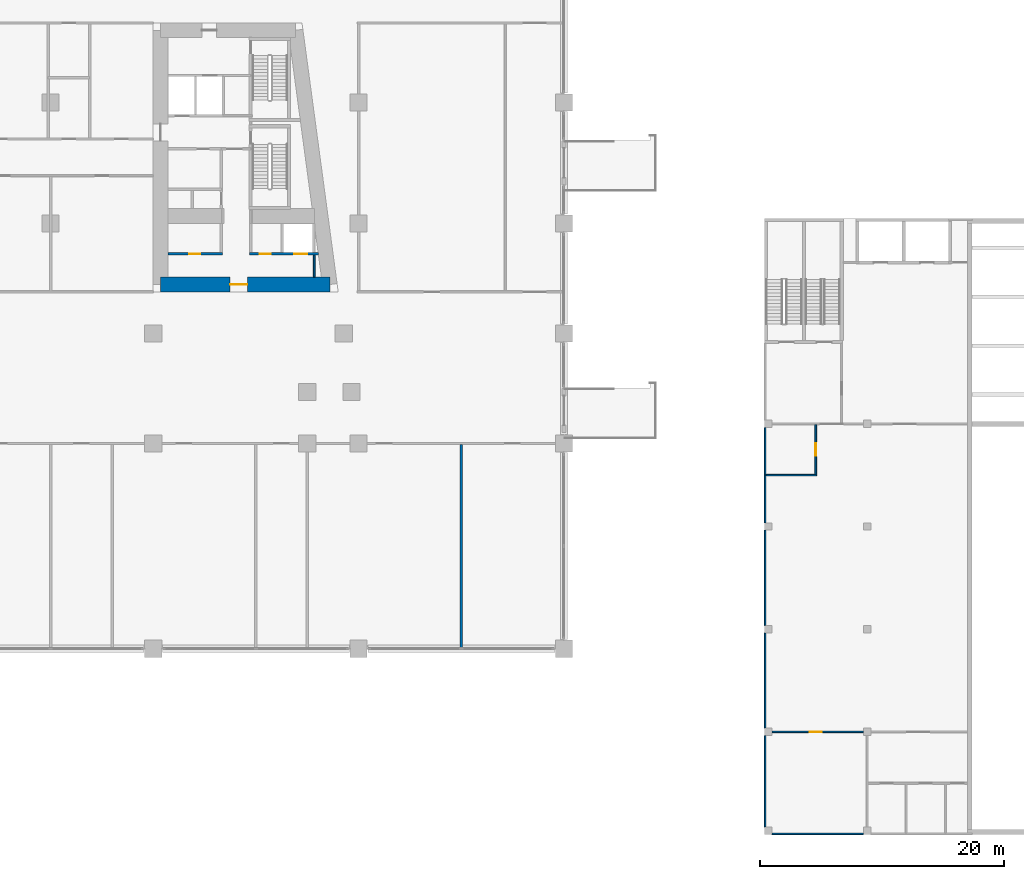
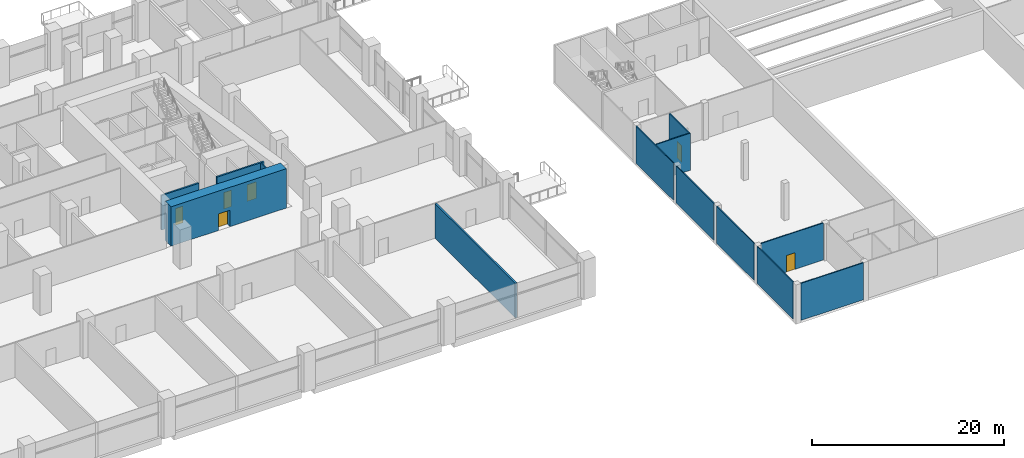
# One storey, part 19 of 33: 13 walls, 6 doors, 6 openings.
"""IFC4 building model written with IfcOpenShell, lengths in metres."""

import ifcopenshell
import ifcopenshell.guid

model = None  # the IFC model being written
_history = None  # IfcOwnerHistory: only IFC2X3 demands one
_inside = {}  # id of a spatial element -> (the spatial element, [elements in it])
_under = {}  # id of a project, library or spatial element -> (it, [spatial elements below it])
_declared = {}  # id of a project -> (the project, [libraries it declares])
_typed = {}  # id of a type object -> (the type object, [elements of that type])
_made_of = {}  # id of a material, layer set ... -> (it, [elements and type objects made of it])


def new_model(schema):
    """Start an empty IFC model of exactly this schema.

    Asked for "IFC4X3", IfcOpenShell would pick the latest addendum, in which some entities
    have other attributes; the version numbers below select the first issue.
    IFC2X3 requires an IfcOwnerHistory on every rooted entity: one is made here for all.
    """
    global model, _history
    if schema == "IFC4X3":
        model = ifcopenshell.file(schema_version=(4, 3, 0, 0))
    else:
        model = ifcopenshell.file(schema=schema)
    _inside.clear()
    _under.clear()
    _declared.clear()
    _typed.clear()
    _made_of.clear()
    _history = None
    if model.schema == "IFC2X3":
        org = make("IfcOrganization", Name="unknown")
        user = make(
            "IfcPersonAndOrganization",
            ThePerson=make("IfcPerson", FamilyName="unknown"),
            TheOrganization=org,
        )
        app = make(
            "IfcApplication",
            ApplicationDeveloper=org,
            Version="unknown",
            ApplicationFullName="unknown",
            ApplicationIdentifier="unknown",
        )
        _history = make(
            "IfcOwnerHistory",
            OwningUser=user,
            OwningApplication=app,
            ChangeAction="ADDED",
            CreationDate=0,
        )
    return model


def make(cls, **values):
    """One entity of the class cls with the attributes given. An attribute that is None is left unset."""
    return model.create_entity(
        cls, **{name: value for name, value in values.items() if value is not None}
    )


def rooted(cls, **values):
    """An entity with a GlobalId (a new one), such as an element, a storey or a relation."""
    return make(cls, GlobalId=ifcopenshell.guid.new(), OwnerHistory=_history, **values)


def si_unit(unit_type, name, prefix=None):
    """IfcSIUnit, for example si_unit("LENGTHUNIT", "METRE", prefix="MILLI")."""
    return make("IfcSIUnit", UnitType=unit_type, Prefix=prefix, Name=name)


def assignment(units):
    """IfcUnitAssignment: the units of a project."""
    return None if units is None else make("IfcUnitAssignment", Units=units)


def point(xyz):
    """IfcCartesianPoint."""
    return None if xyz is None else make("IfcCartesianPoint", Coordinates=xyz)


def direction(xyz):
    """IfcDirection."""
    return None if xyz is None else make("IfcDirection", DirectionRatios=xyz)


def frame(location, z_axis=None, x_axis=None):
    """IfcAxis2Placement3D, a coordinate frame: its origin and axes. An axis left out is left unset."""
    return make(
        "IfcAxis2Placement3D",
        Location=point(location),
        Axis=direction(z_axis),
        RefDirection=direction(x_axis),
    )


def frame_2d(location, x_axis=None):
    """IfcAxis2Placement2D, a coordinate frame in the plane: its origin and x axis."""
    return make(
        "IfcAxis2Placement2D", Location=point(location), RefDirection=direction(x_axis)
    )


def origin():
    """The frame at (0, 0, 0) with its axes left unset."""
    return frame((0.0, 0.0, 0.0))


def place(relative_to, where):
    """IfcLocalPlacement: puts the frame where relative to a parent placement (None: the world)."""
    return make(
        "IfcLocalPlacement", PlacementRelTo=relative_to, RelativePlacement=where
    )


def context(
    kind, dimensions, precision=None, world=None, true_north=None, identifier=None
):
    """IfcGeometricRepresentationContext, for example the 3D "Model" context."""
    return make(
        "IfcGeometricRepresentationContext",
        ContextIdentifier=identifier,
        ContextType=kind,
        CoordinateSpaceDimension=dimensions,
        Precision=precision,
        WorldCoordinateSystem=world,
        TrueNorth=true_north,
    )


def subcontext(parent, identifier, kind, view, scale=None):
    """IfcGeometricRepresentationSubContext, for example "Body" below "Model"."""
    return make(
        "IfcGeometricRepresentationSubContext",
        ContextIdentifier=identifier,
        ContextType=kind,
        ParentContext=parent,
        TargetScale=scale,
        TargetView=view,
    )


def project(units=None, contexts=None):
    """IfcProject with its units and contexts."""
    return rooted(
        "IfcProject",
        Name="project",
        RepresentationContexts=contexts,
        UnitsInContext=assignment(units),
    )


def spatial(cls, under=None, at=None, **own):
    """A site, building, storey or space (cls), placed at a placement, below another one or the project."""
    s = rooted(cls, ObjectPlacement=at, **own)
    if under is not None:
        _under.setdefault(under.id(), (under, []))[1].append(s)
    return s


def profile(cls, at=None, kind="AREA", **sizes):
    """A parametric profile (cls). Its sizes go by their IFC names, for example OverallWidth=200.0."""
    return make(cls, ProfileType=kind, Position=at, **sizes)


def rectangle(**sizes):
    """IfcRectangleProfileDef."""
    return profile("IfcRectangleProfileDef", **sizes)


def extrude(swept, where, along, depth):
    """IfcExtrudedAreaSolid: the profile swept, set in the frame where, extruded along a direction by depth."""
    return make(
        "IfcExtrudedAreaSolid",
        SweptArea=swept,
        Position=where,
        ExtrudedDirection=direction(along),
        Depth=depth,
    )


def shape(context_of_items, identifier, shape_type, items):
    """IfcShapeRepresentation: the items that make up one representation, for example the "Body"."""
    return make(
        "IfcShapeRepresentation",
        ContextOfItems=context_of_items,
        RepresentationIdentifier=identifier,
        RepresentationType=shape_type,
        Items=items,
    )


def material(Name=None, Category=None):
    """IfcMaterial."""
    return make("IfcMaterial", Name=Name, Category=Category)


def layer(
    of_material, thickness, ventilated=None, Name=None, Category=None, Priority=None
):
    """IfcMaterialLayer: one layer of a wall or slab, of a material (None: an air gap)."""
    return make(
        "IfcMaterialLayer",
        Material=of_material,
        LayerThickness=thickness,
        IsVentilated=ventilated,
        Name=Name,
        Category=Category,
        Priority=Priority,
    )


def layer_set(layers, Name=None):
    """IfcMaterialLayerSet."""
    return make("IfcMaterialLayerSet", MaterialLayers=layers, LayerSetName=Name)


def made_of(thing, what):
    """Note that an element or type object is made of a material, layer set ...; save() writes the relation."""
    if what is not None:
        _made_of.setdefault(what.id(), (what, []))[1].append(thing)
    return thing


def type_object(cls, material=None, **own):
    """A type object (cls), such as IfcWallType, which elements share."""
    return made_of(rooted(cls, **own), material)


def element(
    cls,
    number,
    at=None,
    inside=None,
    cuts=None,
    type_object=None,
    material=None,
    context=None,
    identifier="Body",
    shape_type=None,
    held_by="IfcProductDefinitionShape",
    body=None,
    shapes=None,
    **own,
):
    """One element of the class cls, such as IfcWall. Its Tag is "e" and its number.

    at: its placement. inside: the storey or other place that contains it. cuts: it is an
    opening in that element (IfcRelVoidsElement). A single representation is given by context,
    identifier, shape_type and body (its items); several are given by shapes. held_by: the class
    of the entity that holds the representations. save() writes the other relations.
    """
    e = rooted(cls, Tag="e%d" % number, ObjectPlacement=at, **own)
    if body is not None:
        shapes = [shape(context, identifier, shape_type, body)]
    if shapes is not None:
        e.Representation = make(held_by, Representations=shapes)
    if inside is not None:
        _inside.setdefault(inside.id(), (inside, []))[1].append(e)
    if cuts is not None:
        rooted(
            "IfcRelVoidsElement", RelatingBuildingElement=cuts, RelatedOpeningElement=e
        )
    if type_object is not None:
        _typed.setdefault(type_object.id(), (type_object, []))[1].append(e)
    return made_of(e, material)


def fill(opening, filler):
    """IfcRelFillsElement: the door or window that sits in an opening."""
    return rooted(
        "IfcRelFillsElement",
        RelatingOpeningElement=opening,
        RelatedBuildingElement=filler,
    )


def aggregate(whole, parts):
    """IfcRelAggregates: a whole, such as a stair, and the parts it consists of."""
    return rooted("IfcRelAggregates", RelatingObject=whole, RelatedObjects=parts)


def save(model, path):
    """Write the relations noted so far, then the file.

    IfcRelAggregates (storeys below a building ...), IfcRelContainedInSpatialStructure (elements
    in a storey), IfcRelDefinesByType, IfcRelAssociatesMaterial and IfcRelDeclares: one each for
    every whole, place, type object, material and project.
    """
    for whole, parts in _under.values():
        aggregate(whole, parts)
    for where, things in _inside.values():
        rooted(
            "IfcRelContainedInSpatialStructure",
            RelatedElements=things,
            RelatingStructure=where,
        )
    for kind, things in _typed.values():
        rooted("IfcRelDefinesByType", RelatedObjects=things, RelatingType=kind)
    for what, things in _made_of.values():
        rooted("IfcRelAssociatesMaterial", RelatedObjects=things, RelatingMaterial=what)
    for by, libraries in _declared.values():
        rooted("IfcRelDeclares", RelatingContext=by, RelatedDefinitions=libraries)
    model.write(path)


model = new_model("IFC4")

# Units and contexts
model_context = context("Model", 3, precision=1e-05, world=origin(), true_north=direction((0.0, 1.0)))
body_context = subcontext(model_context, "Body", "Model", "MODEL_VIEW")
ifc_project = project(units=[si_unit("LENGTHUNIT", "METRE"), si_unit("AREAUNIT", "SQUARE_METRE"), si_unit("VOLUMEUNIT", "CUBIC_METRE"), si_unit("PLANEANGLEUNIT", "RADIAN"), si_unit("MASSUNIT", "GRAM", prefix="KILO")], contexts=[model_context])

# Site, building, storey
site_placement = place(None, origin())
site = spatial("IfcSite", under=ifc_project, at=site_placement, CompositionType="ELEMENT")
building_placement = place(site_placement, origin())
building = spatial("IfcBuilding", under=site, at=building_placement, Name="Candeia Pilgrim Tower and Theatre", CompositionType="ELEMENT")
storey_placement = place(building_placement, frame((0.0, 0.0, 29.0)))
storey = spatial("IfcBuildingStorey", under=building, at=storey_placement, Name="L04", CompositionType="ELEMENT", Elevation=29.0)

# Wall, opening, door
ifc_material_1 = material(Name="Concrete C80/95", Category="concrete")
ifc_layer_1 = layer(ifc_material_1, 1.199951171875)
ifc_layer_set_1 = layer_set([ifc_layer_1], Name="Core wall 1200 C80/95")
wall_type_1 = type_object("IfcWallType", Name="Core wall 1200 C80/95", PredefinedType="SHEAR", material=ifc_layer_set_1)
wall_1_placement = place(storey_placement, frame((140.444580078125, 111.0, 0.0), z_axis=(0.0, 0.0, 1.0), x_axis=(-1.0, 0.0, 0.0)))
wall_1 = element("IfcWall", 1, at=wall_1_placement, inside=storey, type_object=wall_type_1, Name="Core wall E3", PredefinedType="SHEAR", context=body_context, shape_type="SweptSolid", body=[
    extrude(rectangle(XDim=13.844482421875, YDim=1.199951171875, at=frame_2d((6.92236328125, 0.0))), origin(), (0.0, 0.0, 1.0), 5.0),
])
opening_1_placement = place(wall_1_placement, frame((6.751220703125, 0.0, 0.0)))
opening_1 = element("IfcOpeningElement", 2, at=opening_1_placement, cuts=wall_1, Name="Opening L04-D046", PredefinedType="OPENING", context=body_context, shape_type="SweptSolid", body=[
    extrude(rectangle(XDim=1.39990234375, YDim=2.10009765625, at=frame_2d((0.699951171875, 1.050048828125))), frame((0.0, 0.60986328125, 0.0), z_axis=(0.0, -1.0, 0.0), x_axis=(1.0, 0.0, 0.0)), (0.0, 0.0, 1.0), 1.219970703125),
])
ifc_material_2 = material(Name="Steel fire door set", Category="steel")
door_type_1 = type_object("IfcDoorType", Name="D-1400-FD60", OperationType="NOTDEFINED", PredefinedType="DOOR", material=ifc_material_2)
door_1_placement = place(opening_1_placement, origin())
door_1 = element("IfcDoor", 3, at=door_1_placement, inside=storey, type_object=door_type_1, Name="Door L04-D046", OperationType="SINGLE_SWING_RIGHT", OverallHeight=2.10009765625, OverallWidth=1.39990234375, PredefinedType="DOOR", context=body_context, shape_type="SweptSolid", body=[
    extrude(rectangle(XDim=1.39990234375, YDim=2.10009765625, at=frame_2d((0.699951171875, 1.050048828125))), frame((0.0, 0.02490234375, 0.0), z_axis=(0.0, -1.0, 0.0), x_axis=(1.0, 0.0, 0.0)), (0.0, 0.0, 1.0), 0.050048828125),
])
fill(opening_1, door_1)

# Walls
ifc_material_3 = material(Name="Gypsum board partition on steel studs", Category="steel")
ifc_layer_2 = layer(ifc_material_3, 0.14990234375)
ifc_layer_set_2 = layer_set([ifc_layer_2], Name="PW-150 lobby wall")
wall_type_2 = type_object("IfcWallType", Name="PW-150 lobby wall", PredefinedType="PARTITIONING", material=ifc_layer_set_2)
wall_2_placement = place(storey_placement, frame((139.1689453125, 111.60009765625, 0.0), z_axis=(0.0, 0.0, 1.0), x_axis=(0.0, 1.0, 0.0)))
element("IfcWall", 4, at=wall_2_placement, inside=storey, type_object=wall_type_2, Name="Lobby wall L04-093", PredefinedType="PARTITIONING", context=body_context, shape_type="SweptSolid", body=[
    extrude(rectangle(XDim=1.7998046875, YDim=0.14990234375, at=frame_2d((0.89990234375, 0.0))), origin(), (0.0, 0.0, 1.0), 4.39990234375),
])
ifc_layer_3 = layer(ifc_material_3, 0.199951171875)
ifc_layer_set_3 = layer_set([ifc_layer_3], Name="PW-200 party wall")
wall_type_3 = type_object("IfcWallType", Name="PW-200 party wall", PredefinedType="PARTITIONING", material=ifc_layer_set_3)
wall_3_placement = place(storey_placement, frame((151.199951171875, 81.25, 0.0), z_axis=(0.0, 0.0, 1.0), x_axis=(0.0, 1.0, 0.0)))
element("IfcWall", 5, at=wall_3_placement, inside=storey, type_object=wall_type_3, Name="Party wall L04-099", PredefinedType="PARTITIONING", context=body_context, shape_type="SweptSolid", body=[
    extrude(rectangle(XDim=16.675048828125, YDim=0.199951171875, at=frame_2d((8.33740234375, 0.0))), origin(), (0.0, 0.0, 1.0), 4.39990234375),
])
ifc_material_4 = material(Name="Gypsum board on steel studs", Category="steel")
ifc_layer_4 = layer(ifc_material_4, 0.125)
ifc_layer_set_4 = layer_set([ifc_layer_4], Name="Partition 125")
wall_type_4 = type_object("IfcWallType", Name="Partition 125", PredefinedType="PARTITIONING", material=ifc_layer_set_4)
wall_4_placement = place(storey_placement, frame((176.60009765625, 66.0625, 0.0), z_axis=(0.0, 0.0, 1.0), x_axis=(1.0, 0.0, 0.0)))
element("IfcWall", 6, at=wall_4_placement, inside=storey, type_object=wall_type_4, Name="T-L04-W001", PredefinedType="PARTITIONING", context=body_context, shape_type="SweptSolid", body=[
    extrude(rectangle(XDim=7.5, YDim=0.125, at=frame_2d((3.75, 0.0))), origin(), (0.0, 0.0, 1.0), 4.699951171875),
])

# Wall, opening, door
wall_5_placement = place(storey_placement, frame((176.60009765625, 74.39990234375, 0.0), z_axis=(0.0, 0.0, 1.0), x_axis=(1.0, 0.0, 0.0)))
wall_5 = element("IfcWall", 7, at=wall_5_placement, inside=storey, type_object=wall_type_4, Name="T-L04-W007", PredefinedType="PARTITIONING", context=body_context, shape_type="SweptSolid", body=[
    extrude(rectangle(XDim=7.5, YDim=0.125, at=frame_2d((3.75, 0.0))), origin(), (0.0, 0.0, 1.0), 4.699951171875),
])
opening_2_placement = place(wall_5_placement, frame((3.10009765625, 0.0, 0.0)))
opening_2 = element("IfcOpeningElement", 8, at=opening_2_placement, cuts=wall_5, Name="Opening TD-L04-016", PredefinedType="OPENING", context=body_context, shape_type="SweptSolid", body=[
    extrude(rectangle(XDim=1.0, YDim=2.10009765625, at=frame_2d((0.5, 1.050048828125))), frame((0.0, 0.072509765625, 0.0), z_axis=(0.0, -1.0, 0.0), x_axis=(1.0, 0.0, 0.0)), (0.0, 0.0, 1.0), 0.14501953125),
])
ifc_material_5 = material(Name="Timber door leaf", Category="wood")
door_type_2 = type_object("IfcDoorType", Name="Door single 1000x2100", OperationType="NOTDEFINED", PredefinedType="DOOR", material=ifc_material_5)
door_2_placement = place(opening_2_placement, origin())
door_2 = element("IfcDoor", 9, at=door_2_placement, inside=storey, type_object=door_type_2, Name="Door TD-L04-016", OperationType="SINGLE_SWING_RIGHT", OverallHeight=2.10009765625, OverallWidth=1.0, PredefinedType="DOOR", context=body_context, shape_type="SweptSolid", body=[
    extrude(rectangle(XDim=1.0, YDim=2.10009765625, at=frame_2d((0.5, 1.050048828125))), frame((0.0, 0.02490234375, 0.0), z_axis=(0.0, -1.0, 0.0), x_axis=(1.0, 0.0, 0.0)), (0.0, 0.0, 1.0), 0.050048828125),
])
fill(opening_2, door_2)

# Walls
wall_6_placement = place(storey_placement, frame((176.125, 95.39990234375, 0.0), z_axis=(0.0, 0.0, 1.0), x_axis=(1.0, 0.0, 0.0)))
element("IfcWall", 10, at=wall_6_placement, inside=storey, type_object=wall_type_4, Name="T-L04-W015", PredefinedType="PARTITIONING", context=body_context, shape_type="SweptSolid", body=[
    extrude(rectangle(XDim=4.137451171875, YDim=0.125, at=frame_2d((2.06884765625, 0.0))), origin(), (0.0, 0.0, 1.0), 4.699951171875),
])
wall_7_placement = place(storey_placement, frame((176.0625, 66.60009765625, 0.0), z_axis=(0.0, 0.0, 1.0), x_axis=(0.0, 1.0, 0.0)))
element("IfcWall", 11, at=wall_7_placement, inside=storey, type_object=wall_type_4, Name="T-L04-W036", PredefinedType="PARTITIONING", context=body_context, shape_type="SweptSolid", body=[
    extrude(rectangle(XDim=7.5, YDim=0.125, at=frame_2d((3.75, 0.0))), origin(), (0.0, 0.0, 1.0), 4.699951171875),
])
wall_8_placement = place(storey_placement, frame((176.0625, 74.699951171875, 0.0), z_axis=(0.0, 0.0, 1.0), x_axis=(0.0, 1.0, 0.0)))
element("IfcWall", 12, at=wall_8_placement, inside=storey, type_object=wall_type_4, Name="T-L04-W037", PredefinedType="PARTITIONING", context=body_context, shape_type="SweptSolid", body=[
    extrude(rectangle(XDim=7.800048828125, YDim=0.125, at=frame_2d((3.89990234375, 0.0))), origin(), (0.0, 0.0, 1.0), 4.699951171875),
])
wall_9_placement = place(storey_placement, frame((176.0625, 83.10009765625, 0.0), z_axis=(0.0, 0.0, 1.0), x_axis=(0.0, 1.0, 0.0)))
element("IfcWall", 13, at=wall_9_placement, inside=storey, type_object=wall_type_4, Name="T-L04-W038", PredefinedType="PARTITIONING", context=body_context, shape_type="SweptSolid", body=[
    extrude(rectangle(XDim=7.7998046875, YDim=0.125, at=frame_2d((3.89990234375, 0.0))), origin(), (0.0, 0.0, 1.0), 4.699951171875),
])
wall_10_placement = place(storey_placement, frame((176.0625, 91.5, 0.0), z_axis=(0.0, 0.0, 1.0), x_axis=(0.0, 1.0, 0.0)))
element("IfcWall", 14, at=wall_10_placement, inside=storey, type_object=wall_type_4, Name="T-L04-W039", PredefinedType="PARTITIONING", context=body_context, shape_type="SweptSolid", body=[
    extrude(rectangle(XDim=7.800048828125, YDim=0.125, at=frame_2d((3.89990234375, 0.0))), origin(), (0.0, 0.0, 1.0), 4.699951171875),
])

# Wall, opening, door
wall_11_placement = place(storey_placement, frame((180.199951171875, 95.46240234375, 0.0), z_axis=(0.0, 0.0, 1.0), x_axis=(0.0, 1.0, 0.0)))
wall_11 = element("IfcWall", 15, at=wall_11_placement, inside=storey, type_object=wall_type_4, Name="T-L04-W043", PredefinedType="PARTITIONING", context=body_context, shape_type="SweptSolid", body=[
    extrude(rectangle(XDim=4.0751953125, YDim=0.125, at=frame_2d((2.03759765625, 0.0))), origin(), (0.0, 0.0, 1.0), 4.699951171875),
])
opening_3_placement = place(wall_11_placement, frame((1.53759765625, 0.0, 0.0)))
opening_3 = element("IfcOpeningElement", 16, at=opening_3_placement, cuts=wall_11, Name="Opening TD-L04-017", PredefinedType="OPENING", context=body_context, shape_type="SweptSolid", body=[
    extrude(rectangle(XDim=1.0, YDim=2.10009765625, at=frame_2d((0.5, 1.050048828125))), frame((0.0, 0.072509765625, 0.0), z_axis=(0.0, -1.0, 0.0), x_axis=(1.0, 0.0, 0.0)), (0.0, 0.0, 1.0), 0.14501953125),
])
door_3_placement = place(opening_3_placement, origin())
door_3 = element("IfcDoor", 17, at=door_3_placement, inside=storey, type_object=door_type_2, Name="Door TD-L04-017", OperationType="SINGLE_SWING_LEFT", OverallHeight=2.10009765625, OverallWidth=1.0, PredefinedType="DOOR", context=body_context, shape_type="SweptSolid", body=[
    extrude(rectangle(XDim=1.0, YDim=2.10009765625, at=frame_2d((0.5, 1.050048828125))), frame((0.0, 0.02490234375, 0.0), z_axis=(0.0, -1.0, 0.0), x_axis=(1.0, 0.0, 0.0)), (0.0, 0.0, 1.0), 0.050048828125),
])
fill(opening_3, door_3)

ifc_material_6 = material(Name="Concrete C40/50", Category="concrete")
ifc_layer_5 = layer(ifc_material_6, 0.199951171875)
ifc_layer_set_5 = layer_set([ifc_layer_5], Name="SW-200 shaft wall")
wall_type_5 = type_object("IfcWallType", Name="SW-200 shaft wall", PredefinedType="PARTITIONING", material=ifc_layer_set_5)
wall_12_placement = place(storey_placement, frame((127.199951171875, 113.5, 0.0), z_axis=(0.0, 0.0, 1.0), x_axis=(1.0, 0.0, 0.0)))
wall_12 = element("IfcWall", 18, at=wall_12_placement, inside=storey, type_object=wall_type_5, Name="Shaft wall L04-007", PredefinedType="PARTITIONING", context=body_context, shape_type="SweptSolid", body=[
    extrude(rectangle(XDim=4.47314453125, YDim=0.199951171875, at=frame_2d((2.236572265625, 0.0))), origin(), (0.0, 0.0, 1.0), 4.39990234375),
])
opening_4_placement = place(wall_12_placement, frame((1.736083984375, 0.0, 0.0)))
opening_4 = element("IfcOpeningElement", 19, at=opening_4_placement, cuts=wall_12, Name="Opening L04-D042", PredefinedType="OPENING", context=body_context, shape_type="SweptSolid", body=[
    extrude(rectangle(XDim=0.89990234375, YDim=2.10009765625, at=frame_2d((0.449951171875, 1.050048828125))), frame((0.0, 0.10986328125, 0.0), z_axis=(0.0, -1.0, 0.0), x_axis=(1.0, 0.0, 0.0)), (0.0, 0.0, 1.0), 0.219970703125),
])
door_type_3 = type_object("IfcDoorType", Name="D-900-FD60", OperationType="NOTDEFINED", PredefinedType="DOOR", material=ifc_material_2)
door_4_placement = place(opening_4_placement, origin())
door_4 = element("IfcDoor", 20, at=door_4_placement, inside=storey, type_object=door_type_3, Name="Door L04-D042", OperationType="SINGLE_SWING_RIGHT", OverallHeight=2.10009765625, OverallWidth=0.89990234375, PredefinedType="DOOR", context=body_context, shape_type="SweptSolid", body=[
    extrude(rectangle(XDim=0.89990234375, YDim=2.10009765625, at=frame_2d((0.449951171875, 1.050048828125))), frame((0.0, 0.02490234375, 0.0), z_axis=(0.0, -1.0, 0.0), x_axis=(1.0, 0.0, 0.0)), (0.0, 0.0, 1.0), 0.050048828125),
])
fill(opening_4, door_4)

# Wall, openings, doors
wall_13_placement = place(storey_placement, frame((133.873046875, 113.5, 0.0), z_axis=(0.0, 0.0, 1.0), x_axis=(1.0, 0.0, 0.0)))
wall_13 = element("IfcWall", 21, at=wall_13_placement, inside=storey, type_object=wall_type_5, Name="Shaft wall L04-008", PredefinedType="PARTITIONING", context=body_context, shape_type="SweptSolid", body=[
    extrude(rectangle(XDim=5.65966796875, YDim=0.199951171875, at=frame_2d((2.829833984375, 0.0))), origin(), (0.0, 0.0, 1.0), 4.39990234375),
])
opening_5_placement = place(wall_13_placement, frame((3.64599609375, 0.0, 0.0)))
opening_5 = element("IfcOpeningElement", 22, at=opening_5_placement, cuts=wall_13, Name="Opening L04-LD08", PredefinedType="OPENING", context=body_context, shape_type="SweptSolid", body=[
    extrude(rectangle(XDim=1.10009765625, YDim=2.10009765625, at=frame_2d((0.550048828125, 1.050048828125))), frame((0.0, 0.10986328125, 0.0), z_axis=(0.0, -1.0, 0.0), x_axis=(1.0, 0.0, 0.0)), (0.0, 0.0, 1.0), 0.219970703125),
])
opening_6_placement = place(wall_13_placement, frame((0.84912109375, 0.0, 0.0)))
opening_6 = element("IfcOpeningElement", 23, at=opening_6_placement, cuts=wall_13, Name="Opening L04-D041", PredefinedType="OPENING", context=body_context, shape_type="SweptSolid", body=[
    extrude(rectangle(XDim=0.89990234375, YDim=2.10009765625, at=frame_2d((0.449951171875, 1.050048828125))), frame((0.0, 0.10986328125, 0.0), z_axis=(0.0, -1.0, 0.0), x_axis=(1.0, 0.0, 0.0)), (0.0, 0.0, 1.0), 0.219970703125),
])
door_5_placement = place(opening_6_placement, origin())
door_5 = element("IfcDoor", 24, at=door_5_placement, inside=storey, type_object=door_type_3, Name="Door L04-D041", OperationType="SINGLE_SWING_LEFT", OverallHeight=2.10009765625, OverallWidth=0.89990234375, PredefinedType="DOOR", context=body_context, shape_type="SweptSolid", body=[
    extrude(rectangle(XDim=0.89990234375, YDim=2.10009765625, at=frame_2d((0.449951171875, 1.050048828125))), frame((0.0, 0.02490234375, 0.0), z_axis=(0.0, -1.0, 0.0), x_axis=(1.0, 0.0, 0.0)), (0.0, 0.0, 1.0), 0.050048828125),
])
fill(opening_6, door_5)
ifc_material_7 = material(Name="Glazed aluminium landing door", Category="aluminium")
door_type_4 = type_object("IfcDoorType", Name="LD-1100-EI120", OperationType="SLIDING_TO_LEFT", PredefinedType="DOOR", material=ifc_material_7)
door_6_placement = place(opening_5_placement, origin())
door_6 = element("IfcDoor", 25, at=door_6_placement, inside=storey, type_object=door_type_4, Name="Landing door 08 L04", OperationType="SLIDING_TO_LEFT", OverallHeight=2.10009765625, OverallWidth=1.10009765625, PredefinedType="DOOR", context=body_context, shape_type="SweptSolid", body=[
    extrude(rectangle(XDim=1.10009765625, YDim=2.10009765625, at=frame_2d((0.550048828125, 1.050048828125))), frame((0.0, 0.02490234375, 0.0), z_axis=(0.0, -1.0, 0.0), x_axis=(1.0, 0.0, 0.0)), (0.0, 0.0, 1.0), 0.050048828125),
])
fill(opening_5, door_6)

save(model, "model.ifc")
